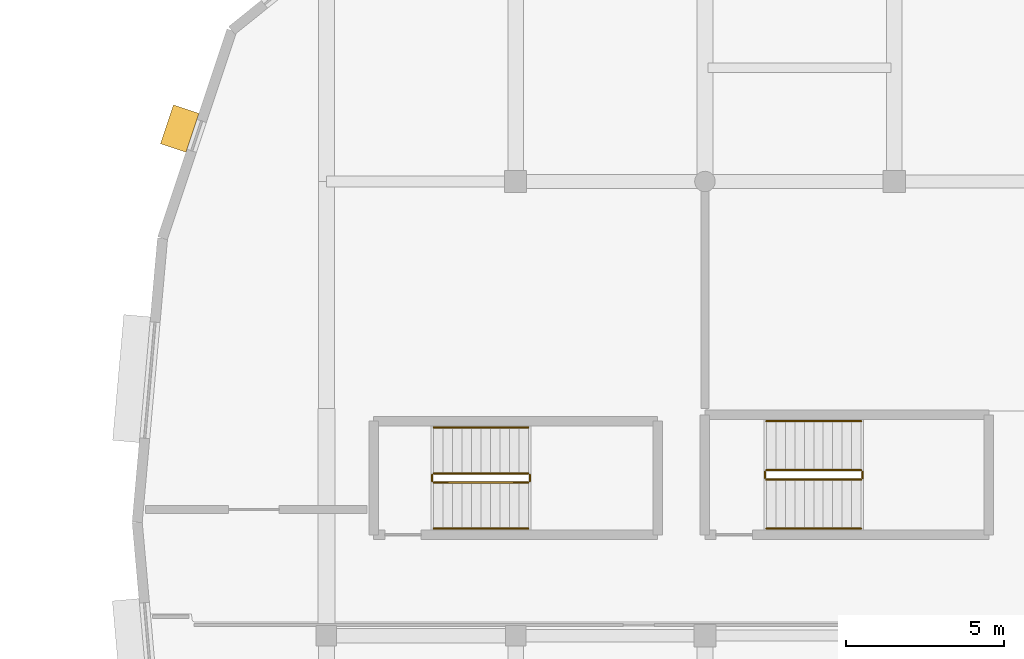
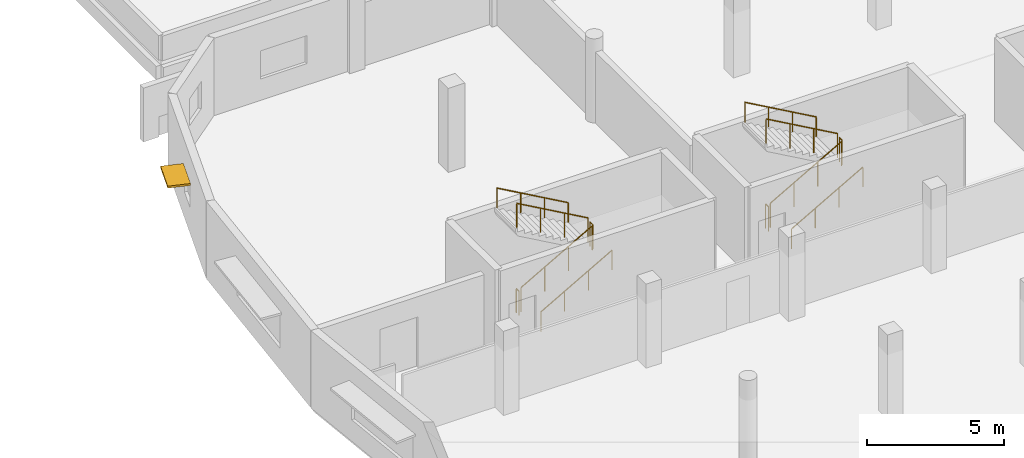
# One storey, part 233 of 239: 12 railings, 1 shading device.
"""IFC4 building model written with IfcOpenShell, lengths in metres."""

import ifcopenshell
import ifcopenshell.guid

model = None  # the IFC model being written
_history = None  # IfcOwnerHistory: only IFC2X3 demands one
_inside = {}  # id of a spatial element -> (the spatial element, [elements in it])
_under = {}  # id of a project, library or spatial element -> (it, [spatial elements below it])
_declared = {}  # id of a project -> (the project, [libraries it declares])
_typed = {}  # id of a type object -> (the type object, [elements of that type])
_made_of = {}  # id of a material, layer set ... -> (it, [elements and type objects made of it])


def new_model(schema):
    """Start an empty IFC model of exactly this schema.

    Asked for "IFC4X3", IfcOpenShell would pick the latest addendum, in which some entities
    have other attributes; the version numbers below select the first issue.
    IFC2X3 requires an IfcOwnerHistory on every rooted entity: one is made here for all.
    """
    global model, _history
    if schema == "IFC4X3":
        model = ifcopenshell.file(schema_version=(4, 3, 0, 0))
    else:
        model = ifcopenshell.file(schema=schema)
    _inside.clear()
    _under.clear()
    _declared.clear()
    _typed.clear()
    _made_of.clear()
    _history = None
    if model.schema == "IFC2X3":
        org = make("IfcOrganization", Name="unknown")
        user = make(
            "IfcPersonAndOrganization",
            ThePerson=make("IfcPerson", FamilyName="unknown"),
            TheOrganization=org,
        )
        app = make(
            "IfcApplication",
            ApplicationDeveloper=org,
            Version="unknown",
            ApplicationFullName="unknown",
            ApplicationIdentifier="unknown",
        )
        _history = make(
            "IfcOwnerHistory",
            OwningUser=user,
            OwningApplication=app,
            ChangeAction="ADDED",
            CreationDate=0,
        )
    return model


def make(cls, **values):
    """One entity of the class cls with the attributes given. An attribute that is None is left unset."""
    return model.create_entity(
        cls, **{name: value for name, value in values.items() if value is not None}
    )


def rooted(cls, **values):
    """An entity with a GlobalId (a new one), such as an element, a storey or a relation."""
    return make(cls, GlobalId=ifcopenshell.guid.new(), OwnerHistory=_history, **values)


def si_unit(unit_type, name, prefix=None):
    """IfcSIUnit, for example si_unit("LENGTHUNIT", "METRE", prefix="MILLI")."""
    return make("IfcSIUnit", UnitType=unit_type, Prefix=prefix, Name=name)


def assignment(units):
    """IfcUnitAssignment: the units of a project."""
    return None if units is None else make("IfcUnitAssignment", Units=units)


def point(xyz):
    """IfcCartesianPoint."""
    return None if xyz is None else make("IfcCartesianPoint", Coordinates=xyz)


def direction(xyz):
    """IfcDirection."""
    return None if xyz is None else make("IfcDirection", DirectionRatios=xyz)


def frame(location, z_axis=None, x_axis=None):
    """IfcAxis2Placement3D, a coordinate frame: its origin and axes. An axis left out is left unset."""
    return make(
        "IfcAxis2Placement3D",
        Location=point(location),
        Axis=direction(z_axis),
        RefDirection=direction(x_axis),
    )


def frame_2d(location, x_axis=None):
    """IfcAxis2Placement2D, a coordinate frame in the plane: its origin and x axis."""
    return make(
        "IfcAxis2Placement2D", Location=point(location), RefDirection=direction(x_axis)
    )


def origin():
    """The frame at (0, 0, 0) with its axes left unset."""
    return frame((0.0, 0.0, 0.0))


def origin_2d():
    """The frame at (0, 0) in the plane with its x axis left unset."""
    return frame_2d((0.0, 0.0))


def place(relative_to, where):
    """IfcLocalPlacement: puts the frame where relative to a parent placement (None: the world)."""
    return make(
        "IfcLocalPlacement", PlacementRelTo=relative_to, RelativePlacement=where
    )


def context(
    kind, dimensions, precision=None, world=None, true_north=None, identifier=None
):
    """IfcGeometricRepresentationContext, for example the 3D "Model" context."""
    return make(
        "IfcGeometricRepresentationContext",
        ContextIdentifier=identifier,
        ContextType=kind,
        CoordinateSpaceDimension=dimensions,
        Precision=precision,
        WorldCoordinateSystem=world,
        TrueNorth=true_north,
    )


def subcontext(parent, identifier, kind, view, scale=None):
    """IfcGeometricRepresentationSubContext, for example "Body" below "Model"."""
    return make(
        "IfcGeometricRepresentationSubContext",
        ContextIdentifier=identifier,
        ContextType=kind,
        ParentContext=parent,
        TargetScale=scale,
        TargetView=view,
    )


def project(units=None, contexts=None):
    """IfcProject with its units and contexts."""
    return rooted(
        "IfcProject",
        Name="project",
        RepresentationContexts=contexts,
        UnitsInContext=assignment(units),
    )


def spatial(cls, under=None, at=None, **own):
    """A site, building, storey or space (cls), placed at a placement, below another one or the project."""
    s = rooted(cls, ObjectPlacement=at, **own)
    if under is not None:
        _under.setdefault(under.id(), (under, []))[1].append(s)
    return s


def profile(cls, at=None, kind="AREA", **sizes):
    """A parametric profile (cls). Its sizes go by their IFC names, for example OverallWidth=200.0."""
    return make(cls, ProfileType=kind, Position=at, **sizes)


def rectangle(**sizes):
    """IfcRectangleProfileDef."""
    return profile("IfcRectangleProfileDef", **sizes)


def circle(**sizes):
    """IfcCircleProfileDef."""
    return profile("IfcCircleProfileDef", **sizes)


def extrude(swept, where, along, depth):
    """IfcExtrudedAreaSolid: the profile swept, set in the frame where, extruded along a direction by depth."""
    return make(
        "IfcExtrudedAreaSolid",
        SweptArea=swept,
        Position=where,
        ExtrudedDirection=direction(along),
        Depth=depth,
    )


def shape(context_of_items, identifier, shape_type, items):
    """IfcShapeRepresentation: the items that make up one representation, for example the "Body"."""
    return make(
        "IfcShapeRepresentation",
        ContextOfItems=context_of_items,
        RepresentationIdentifier=identifier,
        RepresentationType=shape_type,
        Items=items,
    )


def material(Name=None, Category=None):
    """IfcMaterial."""
    return make("IfcMaterial", Name=Name, Category=Category)


def layer(
    of_material, thickness, ventilated=None, Name=None, Category=None, Priority=None
):
    """IfcMaterialLayer: one layer of a wall or slab, of a material (None: an air gap)."""
    return make(
        "IfcMaterialLayer",
        Material=of_material,
        LayerThickness=thickness,
        IsVentilated=ventilated,
        Name=Name,
        Category=Category,
        Priority=Priority,
    )


def layer_set(layers, Name=None):
    """IfcMaterialLayerSet."""
    return make("IfcMaterialLayerSet", MaterialLayers=layers, LayerSetName=Name)


def made_of(thing, what):
    """Note that an element or type object is made of a material, layer set ...; save() writes the relation."""
    if what is not None:
        _made_of.setdefault(what.id(), (what, []))[1].append(thing)
    return thing


def type_object(cls, material=None, **own):
    """A type object (cls), such as IfcWallType, which elements share."""
    return made_of(rooted(cls, **own), material)


def element(
    cls,
    number,
    at=None,
    inside=None,
    cuts=None,
    type_object=None,
    material=None,
    context=None,
    identifier="Body",
    shape_type=None,
    held_by="IfcProductDefinitionShape",
    body=None,
    shapes=None,
    **own,
):
    """One element of the class cls, such as IfcWall. Its Tag is "e" and its number.

    at: its placement. inside: the storey or other place that contains it. cuts: it is an
    opening in that element (IfcRelVoidsElement). A single representation is given by context,
    identifier, shape_type and body (its items); several are given by shapes. held_by: the class
    of the entity that holds the representations. save() writes the other relations.
    """
    e = rooted(cls, Tag="e%d" % number, ObjectPlacement=at, **own)
    if body is not None:
        shapes = [shape(context, identifier, shape_type, body)]
    if shapes is not None:
        e.Representation = make(held_by, Representations=shapes)
    if inside is not None:
        _inside.setdefault(inside.id(), (inside, []))[1].append(e)
    if cuts is not None:
        rooted(
            "IfcRelVoidsElement", RelatingBuildingElement=cuts, RelatedOpeningElement=e
        )
    if type_object is not None:
        _typed.setdefault(type_object.id(), (type_object, []))[1].append(e)
    return made_of(e, material)


def aggregate(whole, parts):
    """IfcRelAggregates: a whole, such as a stair, and the parts it consists of."""
    return rooted("IfcRelAggregates", RelatingObject=whole, RelatedObjects=parts)


def save(model, path):
    """Write the relations noted so far, then the file.

    IfcRelAggregates (storeys below a building ...), IfcRelContainedInSpatialStructure (elements
    in a storey), IfcRelDefinesByType, IfcRelAssociatesMaterial and IfcRelDeclares: one each for
    every whole, place, type object, material and project.
    """
    for whole, parts in _under.values():
        aggregate(whole, parts)
    for where, things in _inside.values():
        rooted(
            "IfcRelContainedInSpatialStructure",
            RelatedElements=things,
            RelatingStructure=where,
        )
    for kind, things in _typed.values():
        rooted("IfcRelDefinesByType", RelatedObjects=things, RelatingType=kind)
    for what, things in _made_of.values():
        rooted("IfcRelAssociatesMaterial", RelatedObjects=things, RelatingMaterial=what)
    for by, libraries in _declared.values():
        rooted("IfcRelDeclares", RelatingContext=by, RelatedDefinitions=libraries)
    model.write(path)


model = new_model("IFC4")

# Units and contexts
model_context = context("Model", 3, precision=1e-05, world=origin(), true_north=direction((0.0, 1.0)))
body_context = subcontext(model_context, "Body", "Model", "MODEL_VIEW")
ifc_project = project(units=[si_unit("LENGTHUNIT", "METRE"), si_unit("AREAUNIT", "SQUARE_METRE"), si_unit("VOLUMEUNIT", "CUBIC_METRE"), si_unit("PLANEANGLEUNIT", "RADIAN"), si_unit("MASSUNIT", "GRAM", prefix="KILO")], contexts=[model_context])

# Site, building, storey
site_placement = place(None, origin())
site = spatial("IfcSite", under=ifc_project, at=site_placement, CompositionType="ELEMENT")
building_placement = place(site_placement, origin())
building = spatial("IfcBuilding", under=site, at=building_placement, Name="Dunvalen Ferry Terminal", CompositionType="ELEMENT")
storey_placement = place(building_placement, frame((0.0, 0.0, 9.840087890625)))
storey = spatial("IfcBuildingStorey", under=building, at=storey_placement, Name="L02", CompositionType="ELEMENT", Elevation=9.840087890625)

# Shading device
ifc_material_1 = material(Name="Anodised marine aluminium EN AW-6063 T6", Category="aluminium")
ifc_layer = layer(ifc_material_1, 0.090087890625, Name="Anodised marine aluminium EN AW-6063 T6")
ifc_layer_set = layer_set([ifc_layer], Name="Anodised marine aluminium EN AW-6063 T6")
shading_device_type = type_object("IfcShadingDeviceType", Name="ENV-SHD-AWN01", PredefinedType="AWNING", material=ifc_layer_set)
shading_device_placement = place(storey_placement, frame((7.3505859375, 30.47802734375, 2.18505859375), z_axis=(0.0, 0.0, 1.0), x_axis=(-0.316232085723, -0.948681858138, 0.0)))
element("IfcShadingDevice", 1, at=shading_device_placement, inside=storey, type_object=shading_device_type, Name="L02 Streamline Brise-Soleil Eyebrow 030", PredefinedType="AWNING", context=body_context, shape_type="SweptSolid", body=[
    extrude(rectangle(XDim=1.300048828125, YDim=0.85009765625, at=origin_2d()), origin(), (0.0, 0.0, 1.0), 0.090087890625),
])

# Railings
ifc_material_2 = material(Name="Painted galvanised steel S275", Category="steel")
railing_type_1 = type_object("IfcRailingType", Name="INT-RL-STGRD", PredefinedType="GUARDRAIL", material=ifc_material_2)
railing_1_placement = place(storey_placement, frame((25.949951171875, 19.35009765625, 0.169921875)))
element("IfcRailing", 2, at=railing_1_placement, inside=storey, type_object=railing_type_1, Name="L02 ST1 stair guard 1", PredefinedType="GUARDRAIL", context=body_context, shape_type="SweptSolid", body=[
    extrude(circle(Radius=0.02392578125, at=origin_2d()), frame((0.0, 0.0, 1.076171875), z_axis=(0.870028259722, 0.0, 0.493001853226), x_axis=(0.0, 1.0, 0.0)), (0.0, 0.0, 1.0), 3.4482421875),
    extrude(circle(Radius=0.02099609375, at=origin_2d()), origin(), (0.0, 0.0, 1.0), 1.052001953125),
    extrude(circle(Radius=0.02099609375, at=origin_2d()), frame((1.0, 0.0, 0.566650390625)), (0.0, 0.0, 1.0), 1.052001953125),
    extrude(circle(Radius=0.02099609375, at=origin_2d()), frame((2.0, 0.0, 1.13330078125)), (0.0, 0.0, 1.0), 1.052001953125),
    extrude(circle(Radius=0.02099609375, at=origin_2d()), frame((3.0, 0.0, 1.699951171875)), (0.0, 0.0, 1.0), 1.052001953125),
])
railing_2_placement = place(storey_placement, frame((29.0, 19.39990234375, 1.869873046875)))
element("IfcRailing", 3, at=railing_2_placement, inside=storey, type_object=railing_type_1, Name="L02 ST1 stair guard 2", PredefinedType="GUARDRAIL", context=body_context, shape_type="SweptSolid", body=[
    extrude(circle(Radius=0.02392578125, at=origin_2d()), frame((0.0, 0.0, 1.076171875), z_axis=(0.0, 1.0, 0.0), x_axis=(-1.0, 0.0, 0.0)), (0.0, 0.0, 1.0), 0.2001953125),
    extrude(circle(Radius=0.02099609375, at=origin_2d()), origin(), (0.0, 0.0, 1.0), 1.052001953125),
    extrude(circle(Radius=0.02099609375, at=origin_2d()), frame((0.0, 0.2001953125, 0.0)), (0.0, 0.0, 1.0), 1.052001953125),
])
railing_3_placement = place(storey_placement, frame((28.949951171875, 19.64990234375, 2.039794921875)))
element("IfcRailing", 4, at=railing_3_placement, inside=storey, type_object=railing_type_1, Name="L02 ST1 stair guard 3", PredefinedType="GUARDRAIL", context=body_context, shape_type="SweptSolid", body=[
    extrude(circle(Radius=0.02392578125, at=origin_2d()), frame((0.0, 0.0, 1.076171875), z_axis=(-0.869997889882, 0.0, 0.493055444754), x_axis=(0.0, -1.0, 0.0)), (0.0, 0.0, 1.0), 3.4482421875),
    extrude(circle(Radius=0.02099609375, at=origin_2d()), origin(), (0.0, 0.0, 1.0), 1.052001953125),
    extrude(circle(Radius=0.02099609375, at=origin_2d()), frame((-1.0, 0.0, 0.566650390625)), (0.0, 0.0, 1.0), 1.052001953125),
    extrude(circle(Radius=0.02099609375, at=origin_2d()), frame((-2.0, 0.0, 1.133544921875)), (0.0, 0.0, 1.0), 1.052001953125),
    extrude(circle(Radius=0.02099609375, at=origin_2d()), frame((-3.0, 0.0, 1.7001953125)), (0.0, 0.0, 1.0), 1.052001953125),
])
railing_4_placement = place(storey_placement, frame((25.89990234375, 19.39990234375, 0.0)))
element("IfcRailing", 5, at=railing_4_placement, inside=storey, type_object=railing_type_1, Name="L02 ST1 stair guard 4", PredefinedType="GUARDRAIL", context=body_context, shape_type="SweptSolid", body=[
    extrude(circle(Radius=0.02392578125, at=origin_2d()), frame((0.0, 0.0, 1.076171875), z_axis=(0.0, 1.0, 0.0), x_axis=(-1.0, 0.0, 0.0)), (0.0, 0.0, 1.0), 0.2001953125),
    extrude(circle(Radius=0.02099609375, at=origin_2d()), origin(), (0.0, 0.0, 1.0), 1.052001953125),
    extrude(circle(Radius=0.02099609375, at=origin_2d()), frame((0.0, 0.2001953125, 0.0)), (0.0, 0.0, 1.0), 1.052001953125),
])
railing_5_placement = place(storey_placement, frame((15.39990234375, 19.25, 0.169921875)))
element("IfcRailing", 6, at=railing_5_placement, inside=storey, type_object=railing_type_1, Name="L02 ST5 stair guard 1", PredefinedType="GUARDRAIL", context=body_context, shape_type="SweptSolid", body=[
    extrude(circle(Radius=0.02392578125, at=origin_2d()), frame((0.0, 0.0, 1.076171875), z_axis=(0.870028259722, 0.0, 0.493001853226), x_axis=(0.0, 1.0, 0.0)), (0.0, 0.0, 1.0), 3.4482421875),
    extrude(circle(Radius=0.02099609375, at=origin_2d()), origin(), (0.0, 0.0, 1.0), 1.052001953125),
    extrude(circle(Radius=0.02099609375, at=origin_2d()), frame((1.0, 0.0, 0.566650390625)), (0.0, 0.0, 1.0), 1.052001953125),
    extrude(circle(Radius=0.02099609375, at=origin_2d()), frame((2.0, 0.0, 1.13330078125)), (0.0, 0.0, 1.0), 1.052001953125),
    extrude(circle(Radius=0.02099609375, at=origin_2d()), frame((3.0, 0.0, 1.699951171875)), (0.0, 0.0, 1.0), 1.052001953125),
])
railing_6_placement = place(storey_placement, frame((18.449951171875, 19.300048828125, 1.869873046875)))
element("IfcRailing", 7, at=railing_6_placement, inside=storey, type_object=railing_type_1, Name="L02 ST5 stair guard 2", PredefinedType="GUARDRAIL", context=body_context, shape_type="SweptSolid", body=[
    extrude(circle(Radius=0.02392578125, at=origin_2d()), frame((0.0, 0.0, 1.076171875), z_axis=(0.0, 1.0, 0.0), x_axis=(-1.0, 0.0, 0.0)), (0.0, 0.0, 1.0), 0.199951171875),
    extrude(circle(Radius=0.02099609375, at=origin_2d()), origin(), (0.0, 0.0, 1.0), 1.052001953125),
    extrude(circle(Radius=0.02099609375, at=origin_2d()), frame((0.0, 0.199951171875, 0.0)), (0.0, 0.0, 1.0), 1.052001953125),
])
railing_7_placement = place(storey_placement, frame((18.39990234375, 19.550048828125, 2.039794921875)))
element("IfcRailing", 8, at=railing_7_placement, inside=storey, type_object=railing_type_1, Name="L02 ST5 stair guard 3", PredefinedType="GUARDRAIL", context=body_context, shape_type="SweptSolid", body=[
    extrude(circle(Radius=0.02392578125, at=origin_2d()), frame((0.0, 0.0, 1.076171875), z_axis=(-0.869997889882, 0.0, 0.493055444754), x_axis=(0.0, -1.0, 0.0)), (0.0, 0.0, 1.0), 3.4482421875),
    extrude(circle(Radius=0.02099609375, at=origin_2d()), origin(), (0.0, 0.0, 1.0), 1.052001953125),
    extrude(circle(Radius=0.02099609375, at=origin_2d()), frame((-1.0, 0.0, 0.566650390625)), (0.0, 0.0, 1.0), 1.052001953125),
    extrude(circle(Radius=0.02099609375, at=origin_2d()), frame((-2.0, 0.0, 1.133544921875)), (0.0, 0.0, 1.0), 1.052001953125),
    extrude(circle(Radius=0.02099609375, at=origin_2d()), frame((-3.0, 0.0, 1.7001953125)), (0.0, 0.0, 1.0), 1.052001953125),
])
railing_8_placement = place(storey_placement, frame((15.35009765625, 19.300048828125, 0.0)))
element("IfcRailing", 9, at=railing_8_placement, inside=storey, type_object=railing_type_1, Name="L02 ST5 stair guard 4", PredefinedType="GUARDRAIL", context=body_context, shape_type="SweptSolid", body=[
    extrude(circle(Radius=0.02392578125, at=origin_2d()), frame((0.0, 0.0, 1.076171875), z_axis=(0.0, 1.0, 0.0), x_axis=(-1.0, 0.0, 0.0)), (0.0, 0.0, 1.0), 0.199951171875),
    extrude(circle(Radius=0.02099609375, at=origin_2d()), origin(), (0.0, 0.0, 1.0), 1.052001953125),
    extrude(circle(Radius=0.02099609375, at=origin_2d()), frame((0.0, 0.199951171875, 0.0)), (0.0, 0.0, 1.0), 1.052001953125),
])
ifc_material_3 = material(Name="Brushed 316 stainless steel", Category="steel")
railing_type_2 = type_object("IfcRailingType", Name="INT-RL-STHND", PredefinedType="HANDRAIL", material=ifc_material_3)
railing_9_placement = place(storey_placement, frame((25.949951171875, 17.800048828125, 0.169921875)))
element("IfcRailing", 10, at=railing_9_placement, inside=storey, type_object=railing_type_2, Name="L02 ST1 stair handrail 1", PredefinedType="HANDRAIL", context=body_context, shape_type="SweptSolid", body=[
    extrude(circle(Radius=0.02392578125, at=origin_2d()), frame((0.0, 0.0, 0.8759765625), z_axis=(0.870028259722, 0.0, 0.493001853226), x_axis=(0.0, 1.0, 0.0)), (0.0, 0.0, 1.0), 3.4482421875),
    extrude(circle(Radius=0.02099609375, at=origin_2d()), origin(), (0.0, 0.0, 1.0), 0.851806640625),
    extrude(circle(Radius=0.02099609375, at=origin_2d()), frame((1.0, 0.0, 0.566650390625)), (0.0, 0.0, 1.0), 0.851806640625),
    extrude(circle(Radius=0.02099609375, at=origin_2d()), frame((2.0, 0.0, 1.13330078125)), (0.0, 0.0, 1.0), 0.851806640625),
    extrude(circle(Radius=0.02099609375, at=origin_2d()), frame((3.0, 0.0, 1.699951171875)), (0.0, 0.0, 1.0), 0.851806640625),
])
railing_10_placement = place(storey_placement, frame((28.949951171875, 21.199951171875, 2.039794921875)))
element("IfcRailing", 11, at=railing_10_placement, inside=storey, type_object=railing_type_2, Name="L02 ST1 stair handrail 2", PredefinedType="HANDRAIL", context=body_context, shape_type="SweptSolid", body=[
    extrude(circle(Radius=0.02392578125, at=origin_2d()), frame((0.0, 0.0, 0.8759765625), z_axis=(-0.869997889882, 0.0, 0.493055444754), x_axis=(0.0, -1.0, 0.0)), (0.0, 0.0, 1.0), 3.4482421875),
    extrude(circle(Radius=0.02099609375, at=origin_2d()), origin(), (0.0, 0.0, 1.0), 0.851806640625),
    extrude(circle(Radius=0.02099609375, at=origin_2d()), frame((-1.0, 0.0, 0.566650390625)), (0.0, 0.0, 1.0), 0.851806640625),
    extrude(circle(Radius=0.02099609375, at=origin_2d()), frame((-2.0, 0.0, 1.133544921875)), (0.0, 0.0, 1.0), 0.851806640625),
    extrude(circle(Radius=0.02099609375, at=origin_2d()), frame((-3.0, 0.0, 1.7001953125)), (0.0, 0.0, 1.0), 0.851806640625),
])
railing_11_placement = place(storey_placement, frame((15.39990234375, 17.800048828125, 0.169921875)))
element("IfcRailing", 12, at=railing_11_placement, inside=storey, type_object=railing_type_2, Name="L02 ST5 stair handrail 1", PredefinedType="HANDRAIL", context=body_context, shape_type="SweptSolid", body=[
    extrude(circle(Radius=0.02392578125, at=origin_2d()), frame((0.0, 0.0, 0.8759765625), z_axis=(0.870028259722, 0.0, 0.493001853226), x_axis=(0.0, 1.0, 0.0)), (0.0, 0.0, 1.0), 3.4482421875),
    extrude(circle(Radius=0.02099609375, at=origin_2d()), origin(), (0.0, 0.0, 1.0), 0.851806640625),
    extrude(circle(Radius=0.02099609375, at=origin_2d()), frame((1.0, 0.0, 0.566650390625)), (0.0, 0.0, 1.0), 0.851806640625),
    extrude(circle(Radius=0.02099609375, at=origin_2d()), frame((2.0, 0.0, 1.13330078125)), (0.0, 0.0, 1.0), 0.851806640625),
    extrude(circle(Radius=0.02099609375, at=origin_2d()), frame((3.0, 0.0, 1.699951171875)), (0.0, 0.0, 1.0), 0.851806640625),
])
railing_12_placement = place(storey_placement, frame((18.39990234375, 21.0, 2.039794921875)))
element("IfcRailing", 13, at=railing_12_placement, inside=storey, type_object=railing_type_2, Name="L02 ST5 stair handrail 2", PredefinedType="HANDRAIL", context=body_context, shape_type="SweptSolid", body=[
    extrude(circle(Radius=0.02392578125, at=origin_2d()), frame((0.0, 0.0, 0.8759765625), z_axis=(-0.869997889882, 0.0, 0.493055444754), x_axis=(0.0, -1.0, 0.0)), (0.0, 0.0, 1.0), 3.4482421875),
    extrude(circle(Radius=0.02099609375, at=origin_2d()), origin(), (0.0, 0.0, 1.0), 0.851806640625),
    extrude(circle(Radius=0.02099609375, at=origin_2d()), frame((-1.0, 0.0, 0.566650390625)), (0.0, 0.0, 1.0), 0.851806640625),
    extrude(circle(Radius=0.02099609375, at=origin_2d()), frame((-2.0, 0.0, 1.133544921875)), (0.0, 0.0, 1.0), 0.851806640625),
    extrude(circle(Radius=0.02099609375, at=origin_2d()), frame((-3.0, 0.0, 1.7001953125)), (0.0, 0.0, 1.0), 0.851806640625),
])

save(model, "model.ifc")
